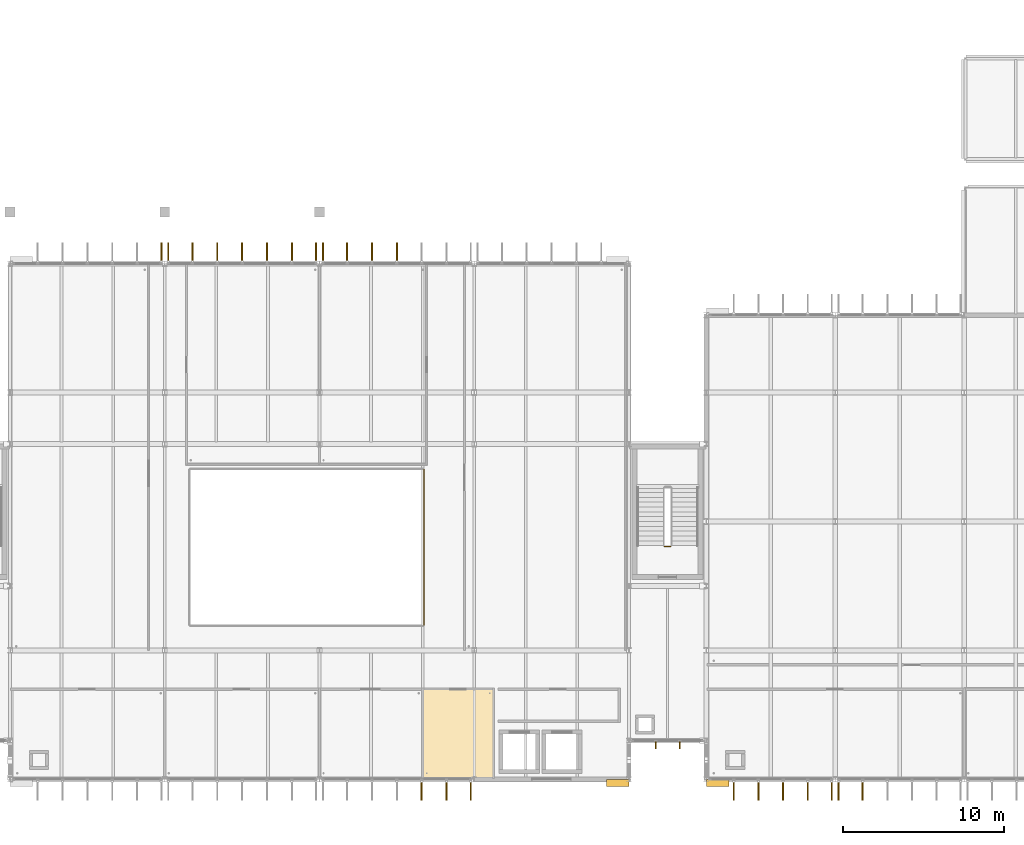
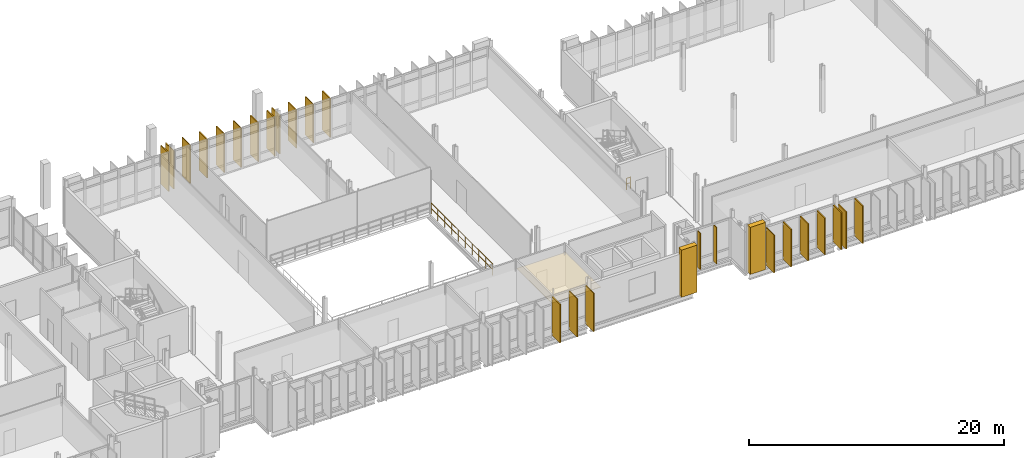
# One storey, part 104 of 110: 25 coverings, 2 railings, 2 shading devices.
"""IFC4 building model written with IfcOpenShell, lengths in metres."""

from ifc_helpers import new_model, si_unit, direction, frame, origin, origin_2d, place, context, subcontext, project, spatial, polyline, rectangle, circle, outline, extrude, material, layer, layer_set, type_object, element, save


model = new_model("IFC4")

# Units and contexts
model_context = context("Model", 3, precision=1e-05, world=origin(), true_north=direction((0.0, 1.0)))
body_context = subcontext(model_context, "Body", "Model", "MODEL_VIEW")
ifc_project = project(units=[si_unit("LENGTHUNIT", "METRE"), si_unit("AREAUNIT", "SQUARE_METRE"), si_unit("VOLUMEUNIT", "CUBIC_METRE"), si_unit("PLANEANGLEUNIT", "RADIAN"), si_unit("MASSUNIT", "GRAM", prefix="KILO")], contexts=[model_context])

# Site, building, storey
site_placement = place(None, origin())
site = spatial("IfcSite", under=ifc_project, at=site_placement, CompositionType="ELEMENT")
building_placement = place(site_placement, origin())
building = spatial("IfcBuilding", under=site, at=building_placement, Name="Dunescarp Central Library", CompositionType="ELEMENT")
storey_placement = place(building_placement, frame((0.0, 0.0, 9.60009765625)))
storey = spatial("IfcBuildingStorey", under=building, at=storey_placement, Name="L02", CompositionType="ELEMENT", Elevation=9.60009765625)

# Coverings
ifc_material_1 = material(Name="Mineral-fibre acoustic ceiling tile")
ifc_layer_1 = layer(ifc_material_1, 0.0400390625)
ifc_layer_set_1 = layer_set([ifc_layer_1], Name="Mineral-fibre acoustic ceiling tile")
covering_type_1 = type_object("IfcCoveringType", Name="ARC-COV-CEIL40", PredefinedType="CEILING", material=ifc_layer_set_1)
covering_1_placement = place(storey_placement, frame((0.0, 0.0, 3.0498046875)))
element("IfcCovering", 1, at=covering_1_placement, inside=storey, type_object=covering_type_1, Name="L02 ceiling Wing Washrooms & WC", PredefinedType="CEILING", context=body_context, shape_type="SweptSolid", body=[
    extrude(outline(polyline([(63.97998046875, 4.919921875), (68.419921875, 4.919921875), (68.419921875, 10.419921875), (63.97998046875, 10.419921875), (63.97998046875, 4.919921875)])), origin(), (0.0, 0.0, 1.0), 0.0400390625),
])
ifc_material_2 = material(Name="Glass-fibre reinforced concrete GRC", Category="concrete")
ifc_layer_2 = layer(ifc_material_2, 0.090087890625)
ifc_layer_set_2 = layer_set([ifc_layer_2], Name="Glass-fibre reinforced concrete GRC")
covering_type_2 = type_object("IfcCoveringType", Name="ARC-COV-FIN1250", PredefinedType="CLADDING", material=ifc_layer_set_2)
covering_2_placement = place(storey_placement, frame((66.985107421875, 4.137939453125, 0.1669921875), z_axis=(0.0, 0.0, 1.0), x_axis=(0.0, -1.0, 0.0)))
element("IfcCovering", 2, at=covering_2_placement, inside=storey, type_object=covering_type_2, Name="L02 parametric vertical facade fin FIN-L02-0391", PredefinedType="CLADDING", context=body_context, shape_type="SweptSolid", body=[
    extrude(rectangle(XDim=1.25, YDim=0.090087890625, at=origin_2d()), origin(), (0.0, 0.0, 1.0), 3.677978515625),
])
covering_3_placement = place(storey_placement, frame((65.48291015625, 4.137939453125, 0.180419921875), z_axis=(0.0, 0.0, 1.0), x_axis=(0.0, -1.0, 0.0)))
element("IfcCovering", 3, at=covering_3_placement, inside=storey, type_object=covering_type_2, Name="L02 parametric vertical facade fin FIN-L02-0392", PredefinedType="CLADDING", context=body_context, shape_type="SweptSolid", body=[
    extrude(rectangle(XDim=1.25, YDim=0.090087890625, at=origin_2d()), origin(), (0.0, 0.0, 1.0), 3.6650390625),
])
covering_4_placement = place(storey_placement, frame((63.94189453125, 4.137939453125, 0.16357421875), z_axis=(0.0, 0.0, 1.0), x_axis=(0.0, -1.0, 0.0)))
element("IfcCovering", 4, at=covering_4_placement, inside=storey, type_object=covering_type_2, Name="L02 parametric vertical facade fin FIN-L02-0393", PredefinedType="CLADDING", context=body_context, shape_type="SweptSolid", body=[
    extrude(rectangle(XDim=1.25, YDim=0.090087890625, at=origin_2d()), origin(), (0.0, 0.0, 1.0), 3.680908203125),
])
covering_5_placement = place(storey_placement, frame((47.784912109375, 37.4619140625, 0.079345703125), z_axis=(0.0, 0.0, 1.0), x_axis=(0.0, 1.0, 0.0)))
element("IfcCovering", 5, at=covering_5_placement, inside=storey, type_object=covering_type_2, Name="L02 parametric vertical facade fin FIN-L02-0403", PredefinedType="CLADDING", context=body_context, shape_type="SweptSolid", body=[
    extrude(rectangle(XDim=1.25, YDim=0.090087890625, at=origin_2d()), origin(), (0.0, 0.0, 1.0), 3.6708984375),
])
covering_6_placement = place(storey_placement, frame((48.215087890625, 37.4619140625, 0.1669921875), z_axis=(0.0, 0.0, 1.0), x_axis=(0.0, 1.0, 0.0)))
element("IfcCovering", 6, at=covering_6_placement, inside=storey, type_object=covering_type_2, Name="L02 parametric vertical facade fin FIN-L02-0404", PredefinedType="CLADDING", context=body_context, shape_type="SweptSolid", body=[
    extrude(rectangle(XDim=1.25, YDim=0.090087890625, at=origin_2d()), origin(), (0.0, 0.0, 1.0), 3.677978515625),
])
covering_7_placement = place(storey_placement, frame((49.717041015625, 37.4619140625, 0.180419921875), z_axis=(0.0, 0.0, 1.0), x_axis=(0.0, 1.0, 0.0)))
element("IfcCovering", 7, at=covering_7_placement, inside=storey, type_object=covering_type_2, Name="L02 parametric vertical facade fin FIN-L02-0405", PredefinedType="CLADDING", context=body_context, shape_type="SweptSolid", body=[
    extrude(rectangle(XDim=1.25, YDim=0.090087890625, at=origin_2d()), origin(), (0.0, 0.0, 1.0), 3.6650390625),
])
covering_8_placement = place(storey_placement, frame((51.258056640625, 37.4619140625, 0.16357421875), z_axis=(0.0, 0.0, 1.0), x_axis=(0.0, 1.0, 0.0)))
element("IfcCovering", 8, at=covering_8_placement, inside=storey, type_object=covering_type_2, Name="L02 parametric vertical facade fin FIN-L02-0406", PredefinedType="CLADDING", context=body_context, shape_type="SweptSolid", body=[
    extrude(rectangle(XDim=1.25, YDim=0.090087890625, at=origin_2d()), origin(), (0.0, 0.0, 1.0), 3.680908203125),
])
covering_9_placement = place(storey_placement, frame((52.800048828125, 37.4619140625, 0.123046875), z_axis=(0.0, 0.0, 1.0), x_axis=(0.0, 1.0, 0.0)))
element("IfcCovering", 9, at=covering_9_placement, inside=storey, type_object=covering_type_2, Name="L02 parametric vertical facade fin FIN-L02-0407", PredefinedType="CLADDING", context=body_context, shape_type="SweptSolid", body=[
    extrude(rectangle(XDim=1.25, YDim=0.090087890625, at=origin_2d()), origin(), (0.0, 0.0, 1.0), 3.721923828125),
])
covering_10_placement = place(storey_placement, frame((54.342041015625, 37.4619140625, 0.079833984375), z_axis=(0.0, 0.0, 1.0), x_axis=(0.0, 1.0, 0.0)))
element("IfcCovering", 10, at=covering_10_placement, inside=storey, type_object=covering_type_2, Name="L02 parametric vertical facade fin FIN-L02-0408", PredefinedType="CLADDING", context=body_context, shape_type="SweptSolid", body=[
    extrude(rectangle(XDim=1.25, YDim=0.090087890625, at=origin_2d()), origin(), (0.0, 0.0, 1.0), 3.75390625),
])
covering_11_placement = place(storey_placement, frame((55.883056640625, 37.4619140625, 0.079833984375), z_axis=(0.0, 0.0, 1.0), x_axis=(0.0, 1.0, 0.0)))
element("IfcCovering", 11, at=covering_11_placement, inside=storey, type_object=covering_type_2, Name="L02 parametric vertical facade fin FIN-L02-0409", PredefinedType="CLADDING", context=body_context, shape_type="SweptSolid", body=[
    extrude(rectangle(XDim=1.25, YDim=0.090087890625, at=origin_2d()), origin(), (0.0, 0.0, 1.0), 3.7041015625),
])
covering_12_placement = place(storey_placement, frame((57.385009765625, 37.4619140625, 0.079345703125), z_axis=(0.0, 0.0, 1.0), x_axis=(0.0, 1.0, 0.0)))
element("IfcCovering", 12, at=covering_12_placement, inside=storey, type_object=covering_type_2, Name="L02 parametric vertical facade fin FIN-L02-0410", PredefinedType="CLADDING", context=body_context, shape_type="SweptSolid", body=[
    extrude(rectangle(XDim=1.25, YDim=0.090087890625, at=origin_2d()), origin(), (0.0, 0.0, 1.0), 3.6708984375),
])
covering_13_placement = place(storey_placement, frame((57.81494140625, 37.4619140625, 0.1669921875), z_axis=(0.0, 0.0, 1.0), x_axis=(0.0, 1.0, 0.0)))
element("IfcCovering", 13, at=covering_13_placement, inside=storey, type_object=covering_type_2, Name="L02 parametric vertical facade fin FIN-L02-0411", PredefinedType="CLADDING", context=body_context, shape_type="SweptSolid", body=[
    extrude(rectangle(XDim=1.25, YDim=0.090087890625, at=origin_2d()), origin(), (0.0, 0.0, 1.0), 3.677978515625),
])
covering_14_placement = place(storey_placement, frame((59.31689453125, 37.4619140625, 0.180419921875), z_axis=(0.0, 0.0, 1.0), x_axis=(0.0, 1.0, 0.0)))
element("IfcCovering", 14, at=covering_14_placement, inside=storey, type_object=covering_type_2, Name="L02 parametric vertical facade fin FIN-L02-0412", PredefinedType="CLADDING", context=body_context, shape_type="SweptSolid", body=[
    extrude(rectangle(XDim=1.25, YDim=0.090087890625, at=origin_2d()), origin(), (0.0, 0.0, 1.0), 3.6650390625),
])
covering_15_placement = place(storey_placement, frame((60.85791015625, 37.4619140625, 0.16357421875), z_axis=(0.0, 0.0, 1.0), x_axis=(0.0, 1.0, 0.0)))
element("IfcCovering", 15, at=covering_15_placement, inside=storey, type_object=covering_type_2, Name="L02 parametric vertical facade fin FIN-L02-0413", PredefinedType="CLADDING", context=body_context, shape_type="SweptSolid", body=[
    extrude(rectangle(XDim=1.25, YDim=0.090087890625, at=origin_2d()), origin(), (0.0, 0.0, 1.0), 3.680908203125),
])
covering_16_placement = place(storey_placement, frame((62.39990234375, 37.4619140625, 0.123046875), z_axis=(0.0, 0.0, 1.0), x_axis=(0.0, 1.0, 0.0)))
element("IfcCovering", 16, at=covering_16_placement, inside=storey, type_object=covering_type_2, Name="L02 parametric vertical facade fin FIN-L02-0414", PredefinedType="CLADDING", context=body_context, shape_type="SweptSolid", body=[
    extrude(rectangle(XDim=1.25, YDim=0.090087890625, at=origin_2d()), origin(), (0.0, 0.0, 1.0), 3.721923828125),
])
covering_17_placement = place(storey_placement, frame((89.385009765625, 4.137939453125, 0.1669921875), z_axis=(0.0, 0.0, 1.0), x_axis=(0.0, -1.0, 0.0)))
element("IfcCovering", 17, at=covering_17_placement, inside=storey, type_object=covering_type_2, Name="L02 parametric vertical facade fin FIN-L02-0616", PredefinedType="CLADDING", context=body_context, shape_type="SweptSolid", body=[
    extrude(rectangle(XDim=1.25, YDim=0.090087890625, at=origin_2d()), origin(), (0.0, 0.0, 1.0), 3.528076171875),
])
covering_18_placement = place(storey_placement, frame((87.89501953125, 4.137939453125, 0.1796875), z_axis=(0.0, 0.0, 1.0), x_axis=(0.0, -1.0, 0.0)))
element("IfcCovering", 18, at=covering_18_placement, inside=storey, type_object=covering_type_2, Name="L02 parametric vertical facade fin FIN-L02-0617", PredefinedType="CLADDING", context=body_context, shape_type="SweptSolid", body=[
    extrude(rectangle(XDim=1.25, YDim=0.090087890625, at=origin_2d()), origin(), (0.0, 0.0, 1.0), 3.514892578125),
])
covering_19_placement = place(storey_placement, frame((86.364990234375, 4.137939453125, 0.16357421875), z_axis=(0.0, 0.0, 1.0), x_axis=(0.0, -1.0, 0.0)))
element("IfcCovering", 19, at=covering_19_placement, inside=storey, type_object=covering_type_2, Name="L02 parametric vertical facade fin FIN-L02-0618", PredefinedType="CLADDING", context=body_context, shape_type="SweptSolid", body=[
    extrude(rectangle(XDim=1.25, YDim=0.090087890625, at=origin_2d()), origin(), (0.0, 0.0, 1.0), 3.531005859375),
])
covering_20_placement = place(storey_placement, frame((84.8349609375, 4.137939453125, 0.123046875), z_axis=(0.0, 0.0, 1.0), x_axis=(0.0, -1.0, 0.0)))
element("IfcCovering", 20, at=covering_20_placement, inside=storey, type_object=covering_type_2, Name="L02 parametric vertical facade fin FIN-L02-0619", PredefinedType="CLADDING", context=body_context, shape_type="SweptSolid", body=[
    extrude(rectangle(XDim=1.25, YDim=0.090087890625, at=origin_2d()), origin(), (0.0, 0.0, 1.0), 3.572021484375),
])
for number, where, z_axis, x_axis, name in (
    (21, (83.304931640625, 4.137939453125, 0.079833984375), (0.0, 0.0, 1.0), (0.0, -1.0, 0.0), "L02 parametric vertical facade fin FIN-L02-0620"),
    (22, (91.304931640625, 4.137939453125, 0.079833984375), (0.0, 0.0, 1.0), (0.0, -1.0, 0.0), "L02 parametric vertical facade fin FIN-L02-0625"),
):
    element("IfcCovering", number, at=place(storey_placement, frame(where, z_axis=z_axis, x_axis=x_axis)), inside=storey, type_object=covering_type_2, Name=name, PredefinedType="CLADDING", context=body_context, shape_type="SweptSolid", body=[
        extrude(rectangle(XDim=1.25, YDim=0.090087890625, at=origin_2d()), origin(), (0.0, 0.0, 1.0), 3.60400390625),
    ])
covering_21_placement = place(storey_placement, frame((89.81494140625, 4.137939453125, 0.080078125), z_axis=(0.0, 0.0, 1.0), x_axis=(0.0, -1.0, 0.0)))
element("IfcCovering", 23, at=covering_21_placement, inside=storey, type_object=covering_type_2, Name="L02 parametric vertical facade fin FIN-L02-0626", PredefinedType="CLADDING", context=body_context, shape_type="SweptSolid", body=[
    extrude(rectangle(XDim=1.25, YDim=0.090087890625, at=origin_2d()), origin(), (0.0, 0.0, 1.0), 3.553955078125),
])
ifc_layer_3 = layer(ifc_material_2, 0.449951171875)
ifc_layer_set_3 = layer_set([ifc_layer_3], Name="Glass-fibre reinforced concrete GRC")
covering_type_3 = type_object("IfcCoveringType", Name="ARC-COV-PORTAL", PredefinedType="CLADDING", material=ifc_layer_set_3)
for number, where, z_axis, x_axis, name in (
    (24, (76.10009765625, 4.580078125, 0.0), (0.0, 0.0, 1.0), (1.0, 0.0, 0.0), "V2 sculpted GRC portal pier PRT-BAND-V2-011"),
    (25, (82.300048828125, 4.580078125, 0.0), (0.0, 0.0, 1.0), (1.0, 0.0, 0.0), "V3 sculpted GRC portal pier PRT-BAND-V3-035"),
):
    element("IfcCovering", number, at=place(storey_placement, frame(where, z_axis=z_axis, x_axis=x_axis)), inside=storey, type_object=covering_type_3, Name=name, PredefinedType="CLADDING", context=body_context, shape_type="SweptSolid", body=[
        extrude(rectangle(XDim=1.39990234375, YDim=0.449951171875, at=origin_2d()), origin(), (0.0, 0.0, 1.0), 4.5),
    ])

# Railings
ifc_material_3 = material(Name="Stainless steel Grade 316L", Category="steel")
railing_type = type_object("IfcRailingType", Name="ARC-RL-GUARD", PredefinedType="GUARDRAIL", material=ifc_material_3)
railing_1_placement = place(storey_placement, frame((79.3798828125, 19.25, 0.0)))
element("IfcRailing", 26, at=railing_1_placement, inside=storey, type_object=railing_type, Name="L02 ST-3 stair guard 4", PredefinedType="GUARDRAIL", context=body_context, shape_type="SweptSolid", body=[
    extrude(circle(Radius=0.02392578125, at=origin_2d()), frame((0.0, 0.0, 1.076171875), z_axis=(-1.0, 0.0, 0.0), x_axis=(0.0, -1.0, 0.0)), (0.0, 0.0, 1.0), 0.35986328125),
    extrude(circle(Radius=0.02392578125, at=origin_2d()), frame((0.0, 0.0, 0.550048828125), z_axis=(-1.0, 0.0, 0.0), x_axis=(0.0, -1.0, 0.0)), (0.0, 0.0, 1.0), 0.35986328125),
    extrude(circle(Radius=0.02099609375, at=origin_2d()), origin(), (0.0, 0.0, 1.0), 1.052001953125),
    extrude(circle(Radius=0.02099609375, at=origin_2d()), frame((-0.35986328125, 0.0, 0.0)), (0.0, 0.0, 1.0), 1.052001953125),
])
railing_2_placement = place(storey_placement, frame((64.080078125, 14.3798828125, 0.0)))
element("IfcRailing", 27, at=railing_2_placement, inside=storey, type_object=railing_type, Name="L02 void guardrail GRD-ATR-L02-E", PredefinedType="GUARDRAIL", context=body_context, shape_type="SweptSolid", body=[
    extrude(circle(Radius=0.02392578125, at=origin_2d()), frame((0.0, 0.0, 1.076171875), z_axis=(0.0, 1.0, 0.0), x_axis=(-1.0, 0.0, 0.0)), (0.0, 0.0, 1.0), 9.64013671875),
    extrude(circle(Radius=0.02392578125, at=origin_2d()), frame((0.0, 0.0, 0.550048828125), z_axis=(0.0, 1.0, 0.0), x_axis=(-1.0, 0.0, 0.0)), (0.0, 0.0, 1.0), 9.64013671875),
    extrude(circle(Radius=0.02099609375, at=origin_2d()), origin(), (0.0, 0.0, 1.0), 1.052001953125),
    extrude(circle(Radius=0.02099609375, at=origin_2d()), frame((0.0, 1.071044921875, 0.0)), (0.0, 0.0, 1.0), 1.052001953125),
    extrude(circle(Radius=0.02099609375, at=origin_2d()), frame((0.0, 2.142333984375, 0.0)), (0.0, 0.0, 1.0), 1.052001953125),
    extrude(circle(Radius=0.02099609375, at=origin_2d()), frame((0.0, 3.21337890625, 0.0)), (0.0, 0.0, 1.0), 1.052001953125),
    extrude(circle(Radius=0.02099609375, at=origin_2d()), frame((0.0, 4.284423828125, 0.0)), (0.0, 0.0, 1.0), 1.052001953125),
    extrude(circle(Radius=0.02099609375, at=origin_2d()), frame((0.0, 5.355712890625, 0.0)), (0.0, 0.0, 1.0), 1.052001953125),
    extrude(circle(Radius=0.02099609375, at=origin_2d()), frame((0.0, 6.4267578125, 0.0)), (0.0, 0.0, 1.0), 1.052001953125),
    extrude(circle(Radius=0.02099609375, at=origin_2d()), frame((0.0, 7.497802734375, 0.0)), (0.0, 0.0, 1.0), 1.052001953125),
    extrude(circle(Radius=0.02099609375, at=origin_2d()), frame((0.0, 8.569091796875, 0.0)), (0.0, 0.0, 1.0), 1.052001953125),
    extrude(circle(Radius=0.02099609375, at=origin_2d()), frame((0.0, 9.64013671875, 0.0)), (0.0, 0.0, 1.0), 1.052001953125),
])

# Shading devices
ifc_material_4 = material(Name="Marine-grade anodised aluminium 6063-T6", Category="aluminium")
ifc_layer_4 = layer(ifc_material_4, 0.06005859375)
ifc_layer_set_4 = layer_set([ifc_layer_4], Name="Marine-grade anodised aluminium 6063-T6")
shading_device_type = type_object("IfcShadingDeviceType", Name="ARC-SHD-FIN", PredefinedType="USERDEFINED", material=ifc_layer_set_4)
for number, where, z_axis, x_axis, name in (
    (28, (79.94189453125, 6.93896484375, 0.150390625), (0.0, 0.0, 1.0), (0.0, -1.0, 0.0), "L02 link sunshade fin SHDF-L02-1106"),
    (29, (78.4580078125, 6.93896484375, 0.150390625), (0.0, 0.0, 1.0), (0.0, -1.0, 0.0), "L02 link sunshade fin SHDF-L02-1107"),
):
    element("IfcShadingDevice", number, at=place(storey_placement, frame(where, z_axis=z_axis, x_axis=x_axis)), inside=storey, type_object=shading_device_type, Name=name, ObjectType="FIN", PredefinedType="USERDEFINED", context=body_context, shape_type="SweptSolid", body=[
        extrude(rectangle(XDim=0.449951171875, YDim=0.06005859375, at=origin_2d()), origin(), (0.0, 0.0, 1.0), 3.47509765625),
    ])

save(model, "model.ifc")
